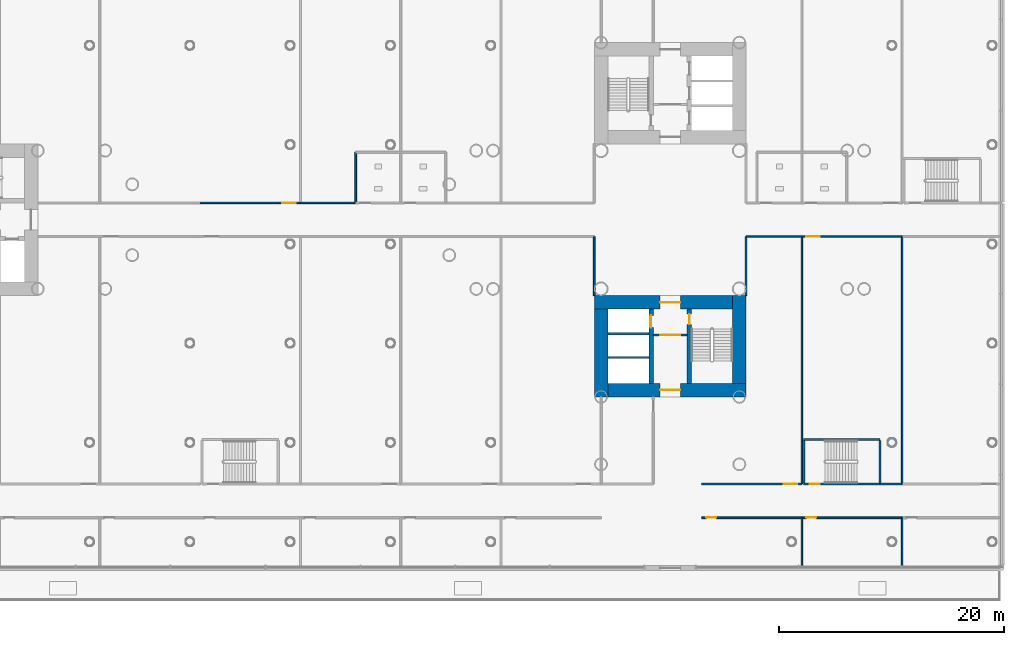
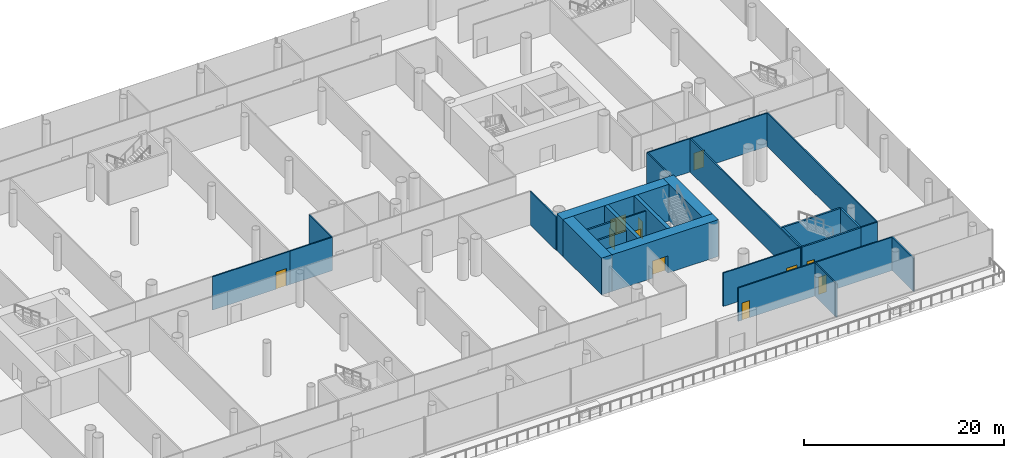
# One storey, part 21 of 49: 28 walls, 11 doors, 11 openings.
"""IFC4 building model written with IfcOpenShell, lengths in metres."""

from ifc_helpers import new_model, si_unit, direction, frame, frame_2d, origin, place, context, subcontext, project, spatial, rectangle, extrude, material, layer, layer_set, type_object, element, fill, save


model = new_model("IFC4")

# Units and contexts
model_context = context("Model", 3, precision=1e-05, world=origin(), true_north=direction((0.0, 1.0)))
body_context = subcontext(model_context, "Body", "Model", "MODEL_VIEW")
ifc_project = project(units=[si_unit("LENGTHUNIT", "METRE"), si_unit("AREAUNIT", "SQUARE_METRE"), si_unit("VOLUMEUNIT", "CUBIC_METRE"), si_unit("PLANEANGLEUNIT", "RADIAN"), si_unit("MASSUNIT", "GRAM", prefix="KILO")], contexts=[model_context])

# Site, building, storey
site_placement = place(None, origin())
site = spatial("IfcSite", under=ifc_project, at=site_placement, CompositionType="ELEMENT")
building_placement = place(site_placement, origin())
building = spatial("IfcBuilding", under=site, at=building_placement, Name="Ipe Terrace Towers", CompositionType="ELEMENT")
storey_placement = place(building_placement, frame((0.0, 0.0, 20.0)))
storey = spatial("IfcBuildingStorey", under=building, at=storey_placement, Name="L04", CompositionType="ELEMENT", Elevation=20.0)

# Wall, opening, door
ifc_material_1 = material(Name="Gypsum board partition", Category="plasterboard")
ifc_layer_1 = layer(ifc_material_1, 0.14990234375)
ifc_layer_set_1 = layer_set([ifc_layer_1], Name="Gypsum board partition 150 mm")
wall_type_1 = type_object("IfcWallType", Name="Gypsum board partition 150 mm", PredefinedType="PARTITIONING", material=ifc_layer_set_1)
wall_1_placement = place(storey_placement, frame((34.5, -10.25, 0.0), z_axis=(0.0, 0.0, 1.0), x_axis=(1.0, 0.0, 0.0)))
wall_1 = element("IfcWall", 1, at=wall_1_placement, inside=storey, type_object=wall_type_1, Name="Gypsum board partition T2 L04 t2c2-lobby-wall", PredefinedType="PARTITIONING", context=body_context, shape_type="SweptSolid", body=[
    extrude(rectangle(XDim=3.0, YDim=0.14990234375, at=frame_2d((1.5, 0.0))), origin(), (0.0, 0.0, 1.0), 4.074951171875),
])
opening_1_placement = place(wall_1_placement, frame((0.60009765625, 0.0, 0.0)))
opening_1 = element("IfcOpeningElement", 2, at=opening_1_placement, cuts=wall_1, Name="Opening T2C2-VD", PredefinedType="OPENING", context=body_context, shape_type="SweptSolid", body=[
    extrude(rectangle(XDim=1.800048828125, YDim=2.10009765625, at=frame_2d((0.89990234375, 1.050048828125))), frame((0.0, 0.0849609375, 0.0), z_axis=(0.0, -1.0, 0.0), x_axis=(1.0, 0.0, 0.0)), (0.0, 0.0, 1.0), 0.169921875),
])
ifc_material_2 = material(Name="Fire-rated timber door leaf", Category="wood")
door_type_1 = type_object("IfcDoorType", Name="Lobby door 1800 x 2100 FD60", OperationType="NOTDEFINED", PredefinedType="DOOR", material=ifc_material_2)
door_1_placement = place(opening_1_placement, origin())
door_1 = element("IfcDoor", 3, at=door_1_placement, inside=storey, type_object=door_type_1, Name="Lobby door T2C2-VD", OperationType="SINGLE_SWING_LEFT", OverallHeight=2.10009765625, OverallWidth=1.800048828125, PredefinedType="DOOR", context=body_context, shape_type="SweptSolid", body=[
    extrude(rectangle(XDim=1.800048828125, YDim=2.10009765625, at=frame_2d((0.89990234375, 1.050048828125))), frame((0.0, 0.02490234375, 0.0), z_axis=(0.0, -1.0, 0.0), x_axis=(1.0, 0.0, 0.0)), (0.0, 0.0, 1.0), 0.050048828125),
])
fill(opening_1, door_1)

wall_2_placement = place(storey_placement, frame((3.110107421875, 1.5, 0.0), z_axis=(0.0, 0.0, 1.0), x_axis=(-1.0, 0.0, 0.0)))
wall_2 = element("IfcWall", 4, at=wall_2_placement, inside=storey, type_object=wall_type_1, Name="Gypsum board partition T2 L04 pd-r31-w8", PredefinedType="PARTITIONING", context=body_context, shape_type="SweptSolid", body=[
    extrude(rectangle(XDim=8.920166015625, YDim=0.14990234375, at=frame_2d((4.4599609375, 0.0))), origin(), (0.0, 0.0, 1.0), 4.074951171875),
])
opening_2_placement = place(wall_2_placement, frame((0.39990234375, 0.0, 0.0)))
opening_2 = element("IfcOpeningElement", 5, at=opening_2_placement, cuts=wall_2, Name="Opening PD-L04-r31", PredefinedType="OPENING", context=body_context, shape_type="SweptSolid", body=[
    extrude(rectangle(XDim=1.199951171875, YDim=2.10009765625, at=frame_2d((0.60009765625, 1.050048828125))), frame((0.0, 0.0849609375, 0.0), z_axis=(0.0, -1.0, 0.0), x_axis=(1.0, 0.0, 0.0)), (0.0, 0.0, 1.0), 0.169921875),
])
ifc_material_3 = material(Name="Fire-rated timber door leaf", Category="wood")
door_type_2 = type_object("IfcDoorType", Name="Lounge door 1200 x 2100 FD30S", OperationType="NOTDEFINED", PredefinedType="DOOR", material=ifc_material_3)
door_2_placement = place(opening_2_placement, origin())
door_2 = element("IfcDoor", 6, at=door_2_placement, inside=storey, type_object=door_type_2, Name="Lounge door PD-L04-r31", OperationType="SINGLE_SWING_RIGHT", OverallHeight=2.10009765625, OverallWidth=1.199951171875, PredefinedType="DOOR", context=body_context, shape_type="SweptSolid", body=[
    extrude(rectangle(XDim=1.199951171875, YDim=2.10009765625, at=frame_2d((0.60009765625, 1.050048828125))), frame((0.0, 0.02490234375, 0.0), z_axis=(0.0, -1.0, 0.0), x_axis=(1.0, 0.0, 0.0)), (0.0, 0.0, 1.0), 0.050048828125),
])
fill(opening_2, door_2)

# Walls
wall_3_placement = place(storey_placement, frame((8.030029296875, 1.5, 0.0), z_axis=(0.0, 0.0, 1.0), x_axis=(-1.0, 0.0, 0.0)))
element("IfcWall", 7, at=wall_3_placement, inside=storey, type_object=wall_type_1, Name="Gypsum board partition T2 L04 pd-r32-w10", PredefinedType="PARTITIONING", context=body_context, shape_type="SweptSolid", body=[
    extrude(rectangle(XDim=4.919921875, YDim=0.14990234375, at=frame_2d((2.4599609375, 0.0))), origin(), (0.0, 0.0, 1.0), 4.074951171875),
])
wall_4_placement = place(storey_placement, frame((29.25, -1.5, 0.0), z_axis=(0.0, 0.0, 1.0), x_axis=(0.0, -1.0, 0.0)))
element("IfcWall", 8, at=wall_4_placement, inside=storey, type_object=wall_type_1, Name="Gypsum board partition T2 L04 pd-r40-w30", PredefinedType="PARTITIONING", context=body_context, shape_type="SweptSolid", body=[
    extrude(rectangle(XDim=5.25, YDim=0.14990234375, at=frame_2d((2.625, 0.0))), origin(), (0.0, 0.0, 1.0), 4.074951171875),
])

# Wall, opening, door
wall_5_placement = place(storey_placement, frame((38.7900390625, -26.5, 0.0), z_axis=(0.0, 0.0, 1.0), x_axis=(1.0, 0.0, 0.0)))
wall_5 = element("IfcWall", 9, at=wall_5_placement, inside=storey, type_object=wall_type_1, Name="Gypsum board partition T2 L04 pd-r46-w44", PredefinedType="PARTITIONING", context=body_context, shape_type="SweptSolid", body=[
    extrude(rectangle(XDim=8.919921875, YDim=0.14990234375, at=frame_2d((4.4599609375, 0.0))), origin(), (0.0, 0.0, 1.0), 4.074951171875),
])
opening_3_placement = place(wall_5_placement, frame((0.39990234375, 0.0, 0.0)))
opening_3 = element("IfcOpeningElement", 10, at=opening_3_placement, cuts=wall_5, Name="Opening PD-L04-r46", PredefinedType="OPENING", context=body_context, shape_type="SweptSolid", body=[
    extrude(rectangle(XDim=0.89990234375, YDim=2.10009765625, at=frame_2d((0.449951171875, 1.050048828125))), frame((0.0, 0.0849609375, 0.0), z_axis=(0.0, -1.0, 0.0), x_axis=(1.0, 0.0, 0.0)), (0.0, 0.0, 1.0), 0.169921875),
])
ifc_material_4 = material(Name="Fire-rated timber door leaf", Category="wood")
door_type_3 = type_object("IfcDoorType", Name="Lounge door 900 x 2100 FD30S", OperationType="NOTDEFINED", PredefinedType="DOOR", material=ifc_material_4)
door_3_placement = place(opening_3_placement, origin())
door_3 = element("IfcDoor", 11, at=door_3_placement, inside=storey, type_object=door_type_3, Name="Lounge door PD-L04-r46", OperationType="SINGLE_SWING_RIGHT", OverallHeight=2.10009765625, OverallWidth=0.89990234375, PredefinedType="DOOR", context=body_context, shape_type="SweptSolid", body=[
    extrude(rectangle(XDim=0.89990234375, YDim=2.10009765625, at=frame_2d((0.449951171875, 1.050048828125))), frame((0.0, 0.02490234375, 0.0), z_axis=(0.0, -1.0, 0.0), x_axis=(1.0, 0.0, 0.0)), (0.0, 0.0, 1.0), 0.050048828125),
])
fill(opening_3, door_3)

# Walls
wall_6_placement = place(storey_placement, frame((47.7099609375, -26.5, 0.0), z_axis=(0.0, 0.0, 1.0), x_axis=(0.0, -1.0, 0.0)))
element("IfcWall", 12, at=wall_6_placement, inside=storey, type_object=wall_type_1, Name="Gypsum board partition T2 L04 pd-r46-r50-w45", PredefinedType="PARTITIONING", context=body_context, shape_type="SweptSolid", body=[
    extrude(rectangle(XDim=4.35009765625, YDim=0.14990234375, at=frame_2d((2.175048828125, 0.0))), origin(), (0.0, 0.0, 1.0), 4.074951171875),
])
wall_7_placement = place(storey_placement, frame((42.75, -6.75, 0.0), z_axis=(0.0, 0.0, 1.0), x_axis=(0.0, 1.0, 0.0)))
element("IfcWall", 13, at=wall_7_placement, inside=storey, type_object=wall_type_1, Name="Gypsum board partition T2 L04 pd-r49-w52", PredefinedType="PARTITIONING", context=body_context, shape_type="SweptSolid", body=[
    extrude(rectangle(XDim=5.25, YDim=0.14990234375, at=frame_2d((2.625, 0.0))), origin(), (0.0, 0.0, 1.0), 4.074951171875),
])
wall_8_placement = place(storey_placement, frame((42.75, -1.5, 0.0), z_axis=(0.0, 0.0, 1.0), x_axis=(1.0, 0.0, 0.0)))
element("IfcWall", 14, at=wall_8_placement, inside=storey, type_object=wall_type_1, Name="Gypsum board partition T2 L04 pd-r49-w53", PredefinedType="PARTITIONING", context=body_context, shape_type="SweptSolid", body=[
    extrude(rectangle(XDim=4.9599609375, YDim=0.14990234375, at=frame_2d((2.47998046875, 0.0))), origin(), (0.0, 0.0, 1.0), 4.074951171875),
])

# Wall, opening, door
wall_9_placement = place(storey_placement, frame((47.7099609375, -23.5, 0.0), z_axis=(0.0, 0.0, 1.0), x_axis=(-1.0, 0.0, 0.0)))
wall_9 = element("IfcWall", 15, at=wall_9_placement, inside=storey, type_object=wall_type_1, Name="Gypsum board partition T2 L04 pd-r49-w54", PredefinedType="PARTITIONING", context=body_context, shape_type="SweptSolid", body=[
    extrude(rectangle(XDim=8.919921875, YDim=0.14990234375, at=frame_2d((4.4599609375, 0.0))), origin(), (0.0, 0.0, 1.0), 4.074951171875),
])
opening_4_placement = place(wall_9_placement, frame((0.39990234375, 0.0, 0.0)))
opening_4 = element("IfcOpeningElement", 16, at=opening_4_placement, cuts=wall_9, Name="Opening PD-L04-r49", PredefinedType="OPENING", context=body_context, shape_type="SweptSolid", body=[
    extrude(rectangle(XDim=1.199951171875, YDim=2.10009765625, at=frame_2d((0.60009765625, 1.050048828125))), frame((0.0, 0.0849609375, 0.0), z_axis=(0.0, -1.0, 0.0), x_axis=(1.0, 0.0, 0.0)), (0.0, 0.0, 1.0), 0.169921875),
])
door_4_placement = place(opening_4_placement, origin())
door_4 = element("IfcDoor", 17, at=door_4_placement, inside=storey, type_object=door_type_2, Name="Lounge door PD-L04-r49", OperationType="SINGLE_SWING_RIGHT", OverallHeight=2.10009765625, OverallWidth=1.199951171875, PredefinedType="DOOR", context=body_context, shape_type="SweptSolid", body=[
    extrude(rectangle(XDim=1.199951171875, YDim=2.10009765625, at=frame_2d((0.60009765625, 1.050048828125))), frame((0.0, 0.02490234375, 0.0), z_axis=(0.0, -1.0, 0.0), x_axis=(1.0, 0.0, 0.0)), (0.0, 0.0, 1.0), 0.050048828125),
])
fill(opening_4, door_4)

# Wall
wall_10_placement = place(storey_placement, frame((47.7099609375, -1.5, 0.0), z_axis=(0.0, 0.0, 1.0), x_axis=(0.0, -1.0, 0.0)))
element("IfcWall", 18, at=wall_10_placement, inside=storey, type_object=wall_type_1, Name="Gypsum board partition T2 L04 pd-r49-r52-w55", PredefinedType="PARTITIONING", context=body_context, shape_type="SweptSolid", body=[
    extrude(rectangle(XDim=22.0, YDim=0.14990234375, at=frame_2d((11.0, 0.0))), origin(), (0.0, 0.0, 1.0), 4.074951171875),
])

# Wall, opening, door
wall_11_placement = place(storey_placement, frame((47.7099609375, -26.5, 0.0), z_axis=(0.0, 0.0, 1.0), x_axis=(1.0, 0.0, 0.0)))
wall_11 = element("IfcWall", 19, at=wall_11_placement, inside=storey, type_object=wall_type_1, Name="Gypsum board partition T2 L04 pd-r50-w56", PredefinedType="PARTITIONING", context=body_context, shape_type="SweptSolid", body=[
    extrude(rectangle(XDim=8.919921875, YDim=0.14990234375, at=frame_2d((4.4599609375, 0.0))), origin(), (0.0, 0.0, 1.0), 4.074951171875),
])
opening_5_placement = place(wall_11_placement, frame((0.39990234375, 0.0, 0.0)))
opening_5 = element("IfcOpeningElement", 20, at=opening_5_placement, cuts=wall_11, Name="Opening PD-L04-r50", PredefinedType="OPENING", context=body_context, shape_type="SweptSolid", body=[
    extrude(rectangle(XDim=0.89990234375, YDim=2.10009765625, at=frame_2d((0.449951171875, 1.050048828125))), frame((0.0, 0.0849609375, 0.0), z_axis=(0.0, -1.0, 0.0), x_axis=(1.0, 0.0, 0.0)), (0.0, 0.0, 1.0), 0.169921875),
])
door_5_placement = place(opening_5_placement, origin())
door_5 = element("IfcDoor", 21, at=door_5_placement, inside=storey, type_object=door_type_3, Name="Lounge door PD-L04-r50", OperationType="SINGLE_SWING_RIGHT", OverallHeight=2.10009765625, OverallWidth=0.89990234375, PredefinedType="DOOR", context=body_context, shape_type="SweptSolid", body=[
    extrude(rectangle(XDim=0.89990234375, YDim=2.10009765625, at=frame_2d((0.449951171875, 1.050048828125))), frame((0.0, 0.02490234375, 0.0), z_axis=(0.0, -1.0, 0.0), x_axis=(1.0, 0.0, 0.0)), (0.0, 0.0, 1.0), 0.050048828125),
])
fill(opening_5, door_5)

# Walls
wall_12_placement = place(storey_placement, frame((56.6298828125, -26.5, 0.0), z_axis=(0.0, 0.0, 1.0), x_axis=(0.0, -1.0, 0.0)))
element("IfcWall", 22, at=wall_12_placement, inside=storey, type_object=wall_type_1, Name="Gypsum board partition T2 L04 pd-r50-r54-w57", PredefinedType="PARTITIONING", context=body_context, shape_type="SweptSolid", body=[
    extrude(rectangle(XDim=4.35009765625, YDim=0.14990234375, at=frame_2d((2.175048828125, 0.0))), origin(), (0.0, 0.0, 1.0), 4.074951171875),
])
wall_13_placement = place(storey_placement, frame((56.6298828125, -23.5, 0.0), z_axis=(0.0, 0.0, 1.0), x_axis=(-1.0, 0.0, 0.0)))
element("IfcWall", 23, at=wall_13_placement, inside=storey, type_object=wall_type_1, Name="Gypsum board partition T2 L04 pd-r52-w60", PredefinedType="PARTITIONING", context=body_context, shape_type="SweptSolid", body=[
    extrude(rectangle(XDim=1.9599609375, YDim=0.14990234375, at=frame_2d((0.97998046875, 0.0))), origin(), (0.0, 0.0, 1.0), 4.074951171875),
])

# Wall, opening, door
wall_14_placement = place(storey_placement, frame((47.7099609375, -1.5, 0.0), z_axis=(0.0, 0.0, 1.0), x_axis=(1.0, 0.0, 0.0)))
wall_14 = element("IfcWall", 24, at=wall_14_placement, inside=storey, type_object=wall_type_1, Name="Gypsum board partition T2 L04 pd-r52-w61", PredefinedType="PARTITIONING", context=body_context, shape_type="SweptSolid", body=[
    extrude(rectangle(XDim=8.919921875, YDim=0.14990234375, at=frame_2d((4.4599609375, 0.0))), origin(), (0.0, 0.0, 1.0), 4.074951171875),
])
opening_6_placement = place(wall_14_placement, frame((0.39990234375, 0.0, 0.0)))
opening_6 = element("IfcOpeningElement", 25, at=opening_6_placement, cuts=wall_14, Name="Opening PD-L04-r52", PredefinedType="OPENING", context=body_context, shape_type="SweptSolid", body=[
    extrude(rectangle(XDim=1.199951171875, YDim=2.10009765625, at=frame_2d((0.60009765625, 1.050048828125))), frame((0.0, 0.0849609375, 0.0), z_axis=(0.0, -1.0, 0.0), x_axis=(1.0, 0.0, 0.0)), (0.0, 0.0, 1.0), 0.169921875),
])
door_6_placement = place(opening_6_placement, origin())
door_6 = element("IfcDoor", 26, at=door_6_placement, inside=storey, type_object=door_type_2, Name="Lounge door PD-L04-r52", OperationType="SINGLE_SWING_RIGHT", OverallHeight=2.10009765625, OverallWidth=1.199951171875, PredefinedType="DOOR", context=body_context, shape_type="SweptSolid", body=[
    extrude(rectangle(XDim=1.199951171875, YDim=2.10009765625, at=frame_2d((0.60009765625, 1.050048828125))), frame((0.0, 0.02490234375, 0.0), z_axis=(0.0, -1.0, 0.0), x_axis=(1.0, 0.0, 0.0)), (0.0, 0.0, 1.0), 0.050048828125),
])
fill(opening_6, door_6)

# Walls
wall_15_placement = place(storey_placement, frame((56.6298828125, -1.5, 0.0), z_axis=(0.0, 0.0, 1.0), x_axis=(0.0, -1.0, 0.0)))
element("IfcWall", 27, at=wall_15_placement, inside=storey, type_object=wall_type_1, Name="Gypsum board partition T2 L04 pd-r52-r55-w62", PredefinedType="PARTITIONING", context=body_context, shape_type="SweptSolid", body=[
    extrude(rectangle(XDim=22.0, YDim=0.14990234375, at=frame_2d((11.0, 0.0))), origin(), (0.0, 0.0, 1.0), 4.074951171875),
])
wall_16_placement = place(storey_placement, frame((8.030029296875, 6.0, 0.0), z_axis=(0.0, 0.0, 1.0), x_axis=(0.0, -1.0, 0.0)))
element("IfcWall", 28, at=wall_16_placement, inside=storey, type_object=wall_type_1, Name="Gypsum board partition T2 L04 pd-c1-r32-w74", PredefinedType="PARTITIONING", context=body_context, shape_type="SweptSolid", body=[
    extrude(rectangle(XDim=4.5, YDim=0.14990234375, at=frame_2d((2.25, 0.0))), origin(), (0.0, 0.0, 1.0), 4.074951171875),
])
ifc_material_5 = material(Name="Gypsum board party wall", Category="plasterboard")
ifc_layer_2 = layer(ifc_material_5, 0.199951171875)
ifc_layer_set_2 = layer_set([ifc_layer_2], Name="Gypsum board party wall 200 mm")
wall_type_2 = type_object("IfcWallType", Name="Gypsum board party wall 200 mm", PredefinedType="SOLIDWALL", material=ifc_layer_set_2)
for number, where, z_axis, x_axis, name in (
    (29, (30.449951171875, -10.14990234375, 0.0), (0.0, 0.0, 1.0), (1.0, 0.0, 0.0), "Gypsum board party wall T2 L04 t2c2-shaft-div1"),
    (30, (30.449951171875, -12.25, 0.0), (0.0, 0.0, 1.0), (1.0, 0.0, 0.0), "Gypsum board party wall T2 L04 t2c2-shaft-div2"),
):
    element("IfcWall", number, at=place(storey_placement, frame(where, z_axis=z_axis, x_axis=x_axis)), inside=storey, type_object=wall_type_2, Name=name, PredefinedType="SOLIDWALL", context=body_context, shape_type="SweptSolid", body=[
        extrude(rectangle(XDim=3.650146484375, YDim=0.199951171875, at=frame_2d((1.8251953125, 0.0))), origin(), (0.0, 0.0, 1.0), 4.074951171875),
    ])

# Wall, opening, door
ifc_material_6 = material(Name="Concrete C60/75", Category="concrete")
ifc_layer_3 = layer(ifc_material_6, 1.199951171875)
ifc_layer_set_3 = layer_set([ifc_layer_3], Name="RW1200 CORE WALL 1200 C60-75")
wall_type_3 = type_object("IfcWallType", Name="RW1200 CORE WALL 1200 C60-75", PredefinedType="SHEAR", material=ifc_layer_set_3)
wall_17_placement = place(storey_placement, frame((30.449951171875, -15.14990234375, 0.0), z_axis=(0.0, 0.0, 1.0), x_axis=(1.0, 0.0, 0.0)))
wall_17 = element("IfcWall", 31, at=wall_17_placement, inside=storey, type_object=wall_type_3, Name="Core wall T2-C2-P-W01", PredefinedType="SHEAR", context=body_context, shape_type="SweptSolid", body=[
    extrude(rectangle(XDim=12.300048828125, YDim=1.199951171875, at=frame_2d((6.14990234375, 0.0))), origin(), (0.0, 0.0, 1.0), 4.5),
])
opening_7_placement = place(wall_17_placement, frame((4.64990234375, 0.0, 0.0)))
opening_7 = element("IfcOpeningElement", 32, at=opening_7_placement, cuts=wall_17, Name="Opening T2C2-FD", PredefinedType="OPENING", context=body_context, shape_type="SweptSolid", body=[
    extrude(rectangle(XDim=1.800048828125, YDim=2.10009765625, at=frame_2d((0.89990234375, 1.050048828125))), frame((0.0, 0.60986328125, 0.0), z_axis=(0.0, -1.0, 0.0), x_axis=(1.0, 0.0, 0.0)), (0.0, 0.0, 1.0), 1.219970703125),
])
ifc_material_7 = material(Name="Fire-rated timber door leaf", Category="wood")
door_type_4 = type_object("IfcDoorType", Name="Fire door 1800 x 2100 FD30S", OperationType="NOTDEFINED", PredefinedType="DOOR", material=ifc_material_7)
door_7_placement = place(opening_7_placement, origin())
door_7 = element("IfcDoor", 33, at=door_7_placement, inside=storey, type_object=door_type_4, Name="Fire door T2C2-FD", OperationType="SINGLE_SWING_LEFT", OverallHeight=2.10009765625, OverallWidth=1.800048828125, PredefinedType="DOOR", context=body_context, shape_type="SweptSolid", body=[
    extrude(rectangle(XDim=1.800048828125, YDim=2.10009765625, at=frame_2d((0.89990234375, 1.050048828125))), frame((0.0, 0.02490234375, 0.0), z_axis=(0.0, -1.0, 0.0), x_axis=(1.0, 0.0, 0.0)), (0.0, 0.0, 1.0), 0.050048828125),
])
fill(opening_7, door_7)

# Wall
wall_18_placement = place(storey_placement, frame((42.14990234375, -14.550048828125, 0.0), z_axis=(0.0, 0.0, 1.0), x_axis=(0.0, 1.0, 0.0)))
element("IfcWall", 34, at=wall_18_placement, inside=storey, type_object=wall_type_3, Name="Core wall T2-C2-P-W02", PredefinedType="SHEAR", context=body_context, shape_type="SweptSolid", body=[
    extrude(rectangle(XDim=7.800048828125, YDim=1.199951171875, at=frame_2d((3.89990234375, 0.0))), origin(), (0.0, 0.0, 1.0), 4.5),
])

# Wall, opening, door
wall_19_placement = place(storey_placement, frame((41.550048828125, -7.35009765625, 0.0), z_axis=(0.0, 0.0, 1.0), x_axis=(-1.0, 0.0, 0.0)))
wall_19 = element("IfcWall", 35, at=wall_19_placement, inside=storey, type_object=wall_type_3, Name="Core wall T2-C2-P-W03", PredefinedType="SHEAR", context=body_context, shape_type="SweptSolid", body=[
    extrude(rectangle(XDim=12.300048828125, YDim=1.199951171875, at=frame_2d((6.14990234375, 0.0))), origin(), (0.0, 0.0, 1.0), 4.5),
])
opening_8_placement = place(wall_19_placement, frame((4.64990234375, 0.0, 0.0)))
opening_8 = element("IfcOpeningElement", 36, at=opening_8_placement, cuts=wall_19, Name="Opening T2C2-ND", PredefinedType="OPENING", context=body_context, shape_type="SweptSolid", body=[
    extrude(rectangle(XDim=1.800048828125, YDim=2.10009765625, at=frame_2d((0.89990234375, 1.050048828125))), frame((0.0, 0.60986328125, 0.0), z_axis=(0.0, -1.0, 0.0), x_axis=(1.0, 0.0, 0.0)), (0.0, 0.0, 1.0), 1.219970703125),
])
door_8_placement = place(opening_8_placement, origin())
door_8 = element("IfcDoor", 37, at=door_8_placement, inside=storey, type_object=door_type_4, Name="Fire door T2C2-ND", OperationType="SINGLE_SWING_LEFT", OverallHeight=2.10009765625, OverallWidth=1.800048828125, PredefinedType="DOOR", context=body_context, shape_type="SweptSolid", body=[
    extrude(rectangle(XDim=1.800048828125, YDim=2.10009765625, at=frame_2d((0.89990234375, 1.050048828125))), frame((0.0, 0.02490234375, 0.0), z_axis=(0.0, -1.0, 0.0), x_axis=(1.0, 0.0, 0.0)), (0.0, 0.0, 1.0), 0.050048828125),
])
fill(opening_8, door_8)

# Wall
wall_20_placement = place(storey_placement, frame((29.85009765625, -7.949951171875, 0.0), z_axis=(0.0, 0.0, 1.0), x_axis=(0.0, -1.0, 0.0)))
element("IfcWall", 38, at=wall_20_placement, inside=storey, type_object=wall_type_3, Name="Core wall T2-C2-P-W04", PredefinedType="SHEAR", context=body_context, shape_type="SweptSolid", body=[
    extrude(rectangle(XDim=7.800048828125, YDim=1.199951171875, at=frame_2d((3.89990234375, 0.0))), origin(), (0.0, 0.0, 1.0), 4.5),
])

# Wall, opening, door
ifc_material_8 = material(Name="Concrete C40/50", Category="concrete")
ifc_layer_4 = layer(ifc_material_8, 0.199951171875)
ifc_layer_set_4 = layer_set([ifc_layer_4], Name="RW200 PODIUM STAIR SHAFT WALL 200 C40-50")
wall_type_4 = type_object("IfcWallType", Name="RW200 PODIUM STAIR SHAFT WALL 200 C40-50", PredefinedType="SHEAR", material=ifc_layer_set_4)
wall_21_placement = place(storey_placement, frame((47.8701171875, -23.5, 0.0), z_axis=(0.0, 0.0, 1.0), x_axis=(1.0, 0.0, 0.0)))
wall_21 = element("IfcWall", 39, at=wall_21_placement, inside=storey, type_object=wall_type_4, Name="Stair shaft wall T2 L04 ps6-c", PredefinedType="SHEAR", context=body_context, shape_type="SweptSolid", body=[
    extrude(rectangle(XDim=6.7998046875, YDim=0.199951171875, at=frame_2d((3.39990234375, 0.0))), origin(), (0.0, 0.0, 1.0), 4.074951171875),
])
opening_9_placement = place(wall_21_placement, frame((0.550048828125, 0.0, 0.0)))
opening_9 = element("IfcOpeningElement", 40, at=opening_9_placement, cuts=wall_21, Name="Opening PS6-SD", PredefinedType="OPENING", context=body_context, shape_type="SweptSolid", body=[
    extrude(rectangle(XDim=0.89990234375, YDim=2.10009765625, at=frame_2d((0.449951171875, 1.050048828125))), frame((0.0, 0.10986328125, 0.0), z_axis=(0.0, -1.0, 0.0), x_axis=(1.0, 0.0, 0.0)), (0.0, 0.0, 1.0), 0.219970703125),
])
ifc_material_9 = material(Name="Fire-rated timber door leaf", Category="wood")
door_type_5 = type_object("IfcDoorType", Name="Stair door 900 x 2100 FD60", OperationType="NOTDEFINED", PredefinedType="DOOR", material=ifc_material_9)
door_9_placement = place(opening_9_placement, origin())
door_9 = element("IfcDoor", 41, at=door_9_placement, inside=storey, type_object=door_type_5, Name="Stair door PS6-SD", OperationType="SINGLE_SWING_RIGHT", OverallHeight=2.10009765625, OverallWidth=0.89990234375, PredefinedType="DOOR", context=body_context, shape_type="SweptSolid", body=[
    extrude(rectangle(XDim=0.89990234375, YDim=2.10009765625, at=frame_2d((0.449951171875, 1.050048828125))), frame((0.0, 0.02490234375, 0.0), z_axis=(0.0, -1.0, 0.0), x_axis=(1.0, 0.0, 0.0)), (0.0, 0.0, 1.0), 0.050048828125),
])
fill(opening_9, door_9)

# Walls
wall_22_placement = place(storey_placement, frame((47.8701171875, -19.550048828125, 0.0), z_axis=(0.0, 0.0, 1.0), x_axis=(1.0, 0.0, 0.0)))
element("IfcWall", 42, at=wall_22_placement, inside=storey, type_object=wall_type_4, Name="Stair shaft wall T2 L04 ps6-f", PredefinedType="SHEAR", context=body_context, shape_type="SweptSolid", body=[
    extrude(rectangle(XDim=6.7998046875, YDim=0.199951171875, at=frame_2d((3.39990234375, 0.0))), origin(), (0.0, 0.0, 1.0), 4.074951171875),
])
for number, where, z_axis, x_axis, name in (
    (43, (47.8701171875, -23.39990234375, 0.0), (0.0, 0.0, 1.0), (0.0, 1.0, 0.0), "Stair shaft wall T2 L04 ps6-w"),
    (44, (54.669921875, -23.39990234375, 0.0), (0.0, 0.0, 1.0), (0.0, 1.0, 0.0), "Stair shaft wall T2 L04 ps6-e"),
):
    element("IfcWall", number, at=place(storey_placement, frame(where, z_axis=z_axis, x_axis=x_axis)), inside=storey, type_object=wall_type_4, Name=name, PredefinedType="SHEAR", context=body_context, shape_type="SweptSolid", body=[
        extrude(rectangle(XDim=3.75, YDim=0.199951171875, at=frame_2d((1.875, 0.0))), origin(), (0.0, 0.0, 1.0), 4.074951171875),
    ])

# Wall, opening, door
ifc_material_10 = material(Name="Concrete C60/75", Category="concrete")
ifc_layer_5 = layer(ifc_material_10, 0.39990234375)
ifc_layer_set_5 = layer_set([ifc_layer_5], Name="RW400 CORE SPINE WALL 400 C60-75")
wall_type_5 = type_object("IfcWallType", Name="RW400 CORE SPINE WALL 400 C60-75", PredefinedType="SHEAR", material=ifc_layer_set_5)
wall_23_placement = place(storey_placement, frame((34.300048828125, -14.550048828125, 0.0), z_axis=(0.0, 0.0, 1.0), x_axis=(0.0, 1.0, 0.0)))
wall_23 = element("IfcWall", 45, at=wall_23_placement, inside=storey, type_object=wall_type_5, Name="Core spine wall T2-C2-P-SW1", PredefinedType="SHEAR", context=body_context, shape_type="SweptSolid", body=[
    extrude(rectangle(XDim=6.60009765625, YDim=0.39990234375, at=frame_2d((3.300048828125, 0.0))), origin(), (0.0, 0.0, 1.0), 4.5),
])
opening_10_placement = place(wall_23_placement, frame((4.949951171875, 0.0, 0.0)))
opening_10 = element("IfcOpeningElement", 46, at=opening_10_placement, cuts=wall_23, Name="Opening T2C2-LD1", PredefinedType="OPENING", context=body_context, shape_type="SweptSolid", body=[
    extrude(rectangle(XDim=1.10009765625, YDim=2.10009765625, at=frame_2d((0.550048828125, 1.050048828125))), frame((0.0, 0.2099609375, 0.0), z_axis=(0.0, -1.0, 0.0), x_axis=(1.0, 0.0, 0.0)), (0.0, 0.0, 1.0), 0.419921875),
])
ifc_material_11 = material(Name="Fire-rated timber door leaf", Category="wood")
door_type_6 = type_object("IfcDoorType", Name="Sliding door 1100 x 2100 FD60", OperationType="SLIDING_TO_LEFT", PredefinedType="DOOR", material=ifc_material_11)
door_10_placement = place(opening_10_placement, origin())
door_10 = element("IfcDoor", 47, at=door_10_placement, inside=storey, type_object=door_type_6, Name="Sliding door T2C2-LD1", OperationType="SLIDING_TO_LEFT", OverallHeight=2.10009765625, OverallWidth=1.10009765625, PredefinedType="DOOR", context=body_context, shape_type="SweptSolid", body=[
    extrude(rectangle(XDim=1.10009765625, YDim=2.10009765625, at=frame_2d((0.550048828125, 1.050048828125))), frame((0.0, 0.02490234375, 0.0), z_axis=(0.0, -1.0, 0.0), x_axis=(1.0, 0.0, 0.0)), (0.0, 0.0, 1.0), 0.050048828125),
])
fill(opening_10, door_10)

wall_24_placement = place(storey_placement, frame((37.699951171875, -14.550048828125, 0.0), z_axis=(0.0, 0.0, 1.0), x_axis=(0.0, 1.0, 0.0)))
wall_24 = element("IfcWall", 48, at=wall_24_placement, inside=storey, type_object=wall_type_5, Name="Core spine wall T2-C2-P-SW2", PredefinedType="SHEAR", context=body_context, shape_type="SweptSolid", body=[
    extrude(rectangle(XDim=6.60009765625, YDim=0.39990234375, at=frame_2d((3.300048828125, 0.0))), origin(), (0.0, 0.0, 1.0), 4.5),
])
opening_11_placement = place(wall_24_placement, frame((5.25, 0.0, 0.0)))
opening_11 = element("IfcOpeningElement", 49, at=opening_11_placement, cuts=wall_24, Name="Opening T2C2-SD", PredefinedType="OPENING", context=body_context, shape_type="SweptSolid", body=[
    extrude(rectangle(XDim=0.89990234375, YDim=2.10009765625, at=frame_2d((0.449951171875, 1.050048828125))), frame((0.0, 0.2099609375, 0.0), z_axis=(0.0, -1.0, 0.0), x_axis=(1.0, 0.0, 0.0)), (0.0, 0.0, 1.0), 0.419921875),
])
door_11_placement = place(opening_11_placement, origin())
door_11 = element("IfcDoor", 50, at=door_11_placement, inside=storey, type_object=door_type_5, Name="Stair door T2C2-SD", OperationType="SINGLE_SWING_RIGHT", OverallHeight=2.10009765625, OverallWidth=0.89990234375, PredefinedType="DOOR", context=body_context, shape_type="SweptSolid", body=[
    extrude(rectangle(XDim=0.89990234375, YDim=2.10009765625, at=frame_2d((0.449951171875, 1.050048828125))), frame((0.0, 0.02490234375, 0.0), z_axis=(0.0, -1.0, 0.0), x_axis=(1.0, 0.0, 0.0)), (0.0, 0.0, 1.0), 0.050048828125),
])
fill(opening_11, door_11)

save(model, "model.ifc")
